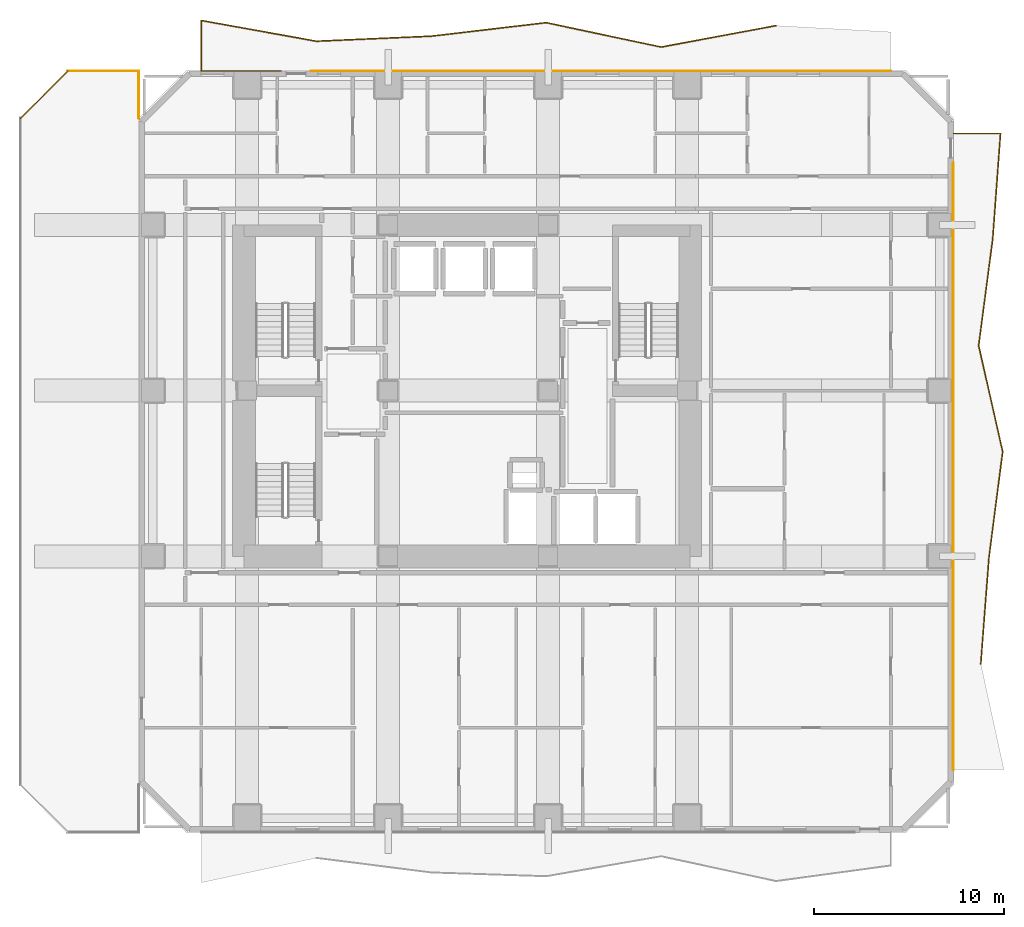
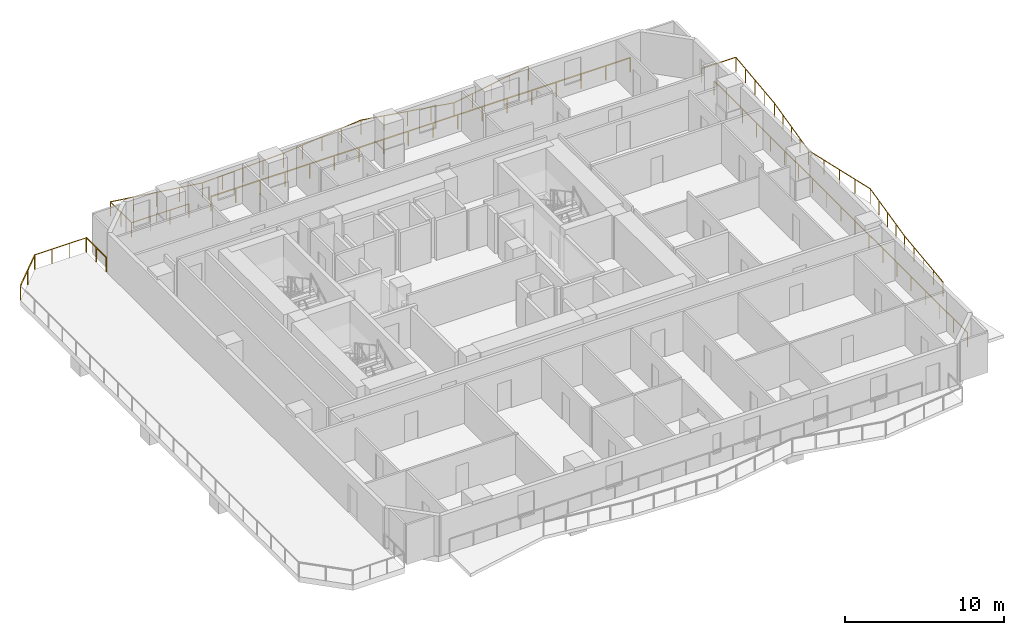
# One storey, part 10 of 10: 7 railings.
"""IFC4 building model written with IfcOpenShell, lengths in metres."""

import ifcopenshell
import ifcopenshell.guid

model = None  # the IFC model being written
_history = None  # IfcOwnerHistory: only IFC2X3 demands one
_inside = {}  # id of a spatial element -> (the spatial element, [elements in it])
_under = {}  # id of a project, library or spatial element -> (it, [spatial elements below it])
_declared = {}  # id of a project -> (the project, [libraries it declares])
_typed = {}  # id of a type object -> (the type object, [elements of that type])
_made_of = {}  # id of a material, layer set ... -> (it, [elements and type objects made of it])


def new_model(schema):
    """Start an empty IFC model of exactly this schema.

    Asked for "IFC4X3", IfcOpenShell would pick the latest addendum, in which some entities
    have other attributes; the version numbers below select the first issue.
    IFC2X3 requires an IfcOwnerHistory on every rooted entity: one is made here for all.
    """
    global model, _history
    if schema == "IFC4X3":
        model = ifcopenshell.file(schema_version=(4, 3, 0, 0))
    else:
        model = ifcopenshell.file(schema=schema)
    _inside.clear()
    _under.clear()
    _declared.clear()
    _typed.clear()
    _made_of.clear()
    _history = None
    if model.schema == "IFC2X3":
        org = make("IfcOrganization", Name="unknown")
        user = make(
            "IfcPersonAndOrganization",
            ThePerson=make("IfcPerson", FamilyName="unknown"),
            TheOrganization=org,
        )
        app = make(
            "IfcApplication",
            ApplicationDeveloper=org,
            Version="unknown",
            ApplicationFullName="unknown",
            ApplicationIdentifier="unknown",
        )
        _history = make(
            "IfcOwnerHistory",
            OwningUser=user,
            OwningApplication=app,
            ChangeAction="ADDED",
            CreationDate=0,
        )
    return model


def make(cls, **values):
    """One entity of the class cls with the attributes given. An attribute that is None is left unset."""
    return model.create_entity(
        cls, **{name: value for name, value in values.items() if value is not None}
    )


def rooted(cls, **values):
    """An entity with a GlobalId (a new one), such as an element, a storey or a relation."""
    return make(cls, GlobalId=ifcopenshell.guid.new(), OwnerHistory=_history, **values)


def si_unit(unit_type, name, prefix=None):
    """IfcSIUnit, for example si_unit("LENGTHUNIT", "METRE", prefix="MILLI")."""
    return make("IfcSIUnit", UnitType=unit_type, Prefix=prefix, Name=name)


def assignment(units):
    """IfcUnitAssignment: the units of a project."""
    return None if units is None else make("IfcUnitAssignment", Units=units)


def point(xyz):
    """IfcCartesianPoint."""
    return None if xyz is None else make("IfcCartesianPoint", Coordinates=xyz)


def direction(xyz):
    """IfcDirection."""
    return None if xyz is None else make("IfcDirection", DirectionRatios=xyz)


def frame(location, z_axis=None, x_axis=None):
    """IfcAxis2Placement3D, a coordinate frame: its origin and axes. An axis left out is left unset."""
    return make(
        "IfcAxis2Placement3D",
        Location=point(location),
        Axis=direction(z_axis),
        RefDirection=direction(x_axis),
    )


def frame_2d(location, x_axis=None):
    """IfcAxis2Placement2D, a coordinate frame in the plane: its origin and x axis."""
    return make(
        "IfcAxis2Placement2D", Location=point(location), RefDirection=direction(x_axis)
    )


def origin():
    """The frame at (0, 0, 0) with its axes left unset."""
    return frame((0.0, 0.0, 0.0))


def origin_2d():
    """The frame at (0, 0) in the plane with its x axis left unset."""
    return frame_2d((0.0, 0.0))


def place(relative_to, where):
    """IfcLocalPlacement: puts the frame where relative to a parent placement (None: the world)."""
    return make(
        "IfcLocalPlacement", PlacementRelTo=relative_to, RelativePlacement=where
    )


def context(
    kind, dimensions, precision=None, world=None, true_north=None, identifier=None
):
    """IfcGeometricRepresentationContext, for example the 3D "Model" context."""
    return make(
        "IfcGeometricRepresentationContext",
        ContextIdentifier=identifier,
        ContextType=kind,
        CoordinateSpaceDimension=dimensions,
        Precision=precision,
        WorldCoordinateSystem=world,
        TrueNorth=true_north,
    )


def subcontext(parent, identifier, kind, view, scale=None):
    """IfcGeometricRepresentationSubContext, for example "Body" below "Model"."""
    return make(
        "IfcGeometricRepresentationSubContext",
        ContextIdentifier=identifier,
        ContextType=kind,
        ParentContext=parent,
        TargetScale=scale,
        TargetView=view,
    )


def project(units=None, contexts=None):
    """IfcProject with its units and contexts."""
    return rooted(
        "IfcProject",
        Name="project",
        RepresentationContexts=contexts,
        UnitsInContext=assignment(units),
    )


def spatial(cls, under=None, at=None, **own):
    """A site, building, storey or space (cls), placed at a placement, below another one or the project."""
    s = rooted(cls, ObjectPlacement=at, **own)
    if under is not None:
        _under.setdefault(under.id(), (under, []))[1].append(s)
    return s


def profile(cls, at=None, kind="AREA", **sizes):
    """A parametric profile (cls). Its sizes go by their IFC names, for example OverallWidth=200.0."""
    return make(cls, ProfileType=kind, Position=at, **sizes)


def rectangle(**sizes):
    """IfcRectangleProfileDef."""
    return profile("IfcRectangleProfileDef", **sizes)


def extrude(swept, where, along, depth):
    """IfcExtrudedAreaSolid: the profile swept, set in the frame where, extruded along a direction by depth."""
    return make(
        "IfcExtrudedAreaSolid",
        SweptArea=swept,
        Position=where,
        ExtrudedDirection=direction(along),
        Depth=depth,
    )


def shape(context_of_items, identifier, shape_type, items):
    """IfcShapeRepresentation: the items that make up one representation, for example the "Body"."""
    return make(
        "IfcShapeRepresentation",
        ContextOfItems=context_of_items,
        RepresentationIdentifier=identifier,
        RepresentationType=shape_type,
        Items=items,
    )


def material(Name=None, Category=None):
    """IfcMaterial."""
    return make("IfcMaterial", Name=Name, Category=Category)


def made_of(thing, what):
    """Note that an element or type object is made of a material, layer set ...; save() writes the relation."""
    if what is not None:
        _made_of.setdefault(what.id(), (what, []))[1].append(thing)
    return thing


def type_object(cls, material=None, **own):
    """A type object (cls), such as IfcWallType, which elements share."""
    return made_of(rooted(cls, **own), material)


def element(
    cls,
    number,
    at=None,
    inside=None,
    cuts=None,
    type_object=None,
    material=None,
    context=None,
    identifier="Body",
    shape_type=None,
    held_by="IfcProductDefinitionShape",
    body=None,
    shapes=None,
    **own,
):
    """One element of the class cls, such as IfcWall. Its Tag is "e" and its number.

    at: its placement. inside: the storey or other place that contains it. cuts: it is an
    opening in that element (IfcRelVoidsElement). A single representation is given by context,
    identifier, shape_type and body (its items); several are given by shapes. held_by: the class
    of the entity that holds the representations. save() writes the other relations.
    """
    e = rooted(cls, Tag="e%d" % number, ObjectPlacement=at, **own)
    if body is not None:
        shapes = [shape(context, identifier, shape_type, body)]
    if shapes is not None:
        e.Representation = make(held_by, Representations=shapes)
    if inside is not None:
        _inside.setdefault(inside.id(), (inside, []))[1].append(e)
    if cuts is not None:
        rooted(
            "IfcRelVoidsElement", RelatingBuildingElement=cuts, RelatedOpeningElement=e
        )
    if type_object is not None:
        _typed.setdefault(type_object.id(), (type_object, []))[1].append(e)
    return made_of(e, material)


def aggregate(whole, parts):
    """IfcRelAggregates: a whole, such as a stair, and the parts it consists of."""
    return rooted("IfcRelAggregates", RelatingObject=whole, RelatedObjects=parts)


def save(model, path):
    """Write the relations noted so far, then the file.

    IfcRelAggregates (storeys below a building ...), IfcRelContainedInSpatialStructure (elements
    in a storey), IfcRelDefinesByType, IfcRelAssociatesMaterial and IfcRelDeclares: one each for
    every whole, place, type object, material and project.
    """
    for whole, parts in _under.values():
        aggregate(whole, parts)
    for where, things in _inside.values():
        rooted(
            "IfcRelContainedInSpatialStructure",
            RelatedElements=things,
            RelatingStructure=where,
        )
    for kind, things in _typed.values():
        rooted("IfcRelDefinesByType", RelatedObjects=things, RelatingType=kind)
    for what, things in _made_of.values():
        rooted("IfcRelAssociatesMaterial", RelatedObjects=things, RelatingMaterial=what)
    for by, libraries in _declared.values():
        rooted("IfcRelDeclares", RelatingContext=by, RelatedDefinitions=libraries)
    model.write(path)


model = new_model("IFC4")

# Units and contexts
model_context = context("Model", 3, precision=1e-05, world=origin(), true_north=direction((0.0, 1.0)))
body_context = subcontext(model_context, "Body", "Model", "MODEL_VIEW")
ifc_project = project(units=[si_unit("LENGTHUNIT", "METRE"), si_unit("AREAUNIT", "SQUARE_METRE"), si_unit("VOLUMEUNIT", "CUBIC_METRE"), si_unit("PLANEANGLEUNIT", "RADIAN"), si_unit("MASSUNIT", "GRAM", prefix="KILO")], contexts=[model_context])

# Site, building, storey
site_placement = place(None, origin())
site = spatial("IfcSite", under=ifc_project, at=site_placement, CompositionType="ELEMENT")
building_placement = place(site_placement, origin())
building = spatial("IfcBuilding", under=site, at=building_placement, Name="Solanera Arch Residences", CompositionType="ELEMENT")
storey_placement = place(building_placement, frame((0.0, 0.0, 41.919921875)))
storey = spatial("IfcBuildingStorey", under=building, at=storey_placement, Name="L11", CompositionType="ELEMENT", Elevation=41.919921875)

# Railings
ifc_material = material(Name="Steel S355 (ASTM A992 / A572 Grade 50)", Category="steel")
railing_type = type_object("IfcRailingType", Name="Balustrade Railing BL-1100", PredefinedType="BALUSTRADE", material=ifc_material)
railing_1_placement = place(storey_placement, frame((41.1669921875, 49.864990234375, 0.0)))
element("IfcRailing", 1, at=railing_1_placement, inside=storey, type_object=railing_type, Name="L11 N Balcony Balustrade 1", PredefinedType="BALUSTRADE", context=body_context, shape_type="SweptSolid", body=[
    extrude(rectangle(XDim=0.048095703125, YDim=0.048095703125, at=origin_2d()), frame((0.0, 0.0, 1.09619140625), z_axis=(-0.983030769908, -0.183440740879, 0.0), x_axis=(0.183440740879, -0.983030769908, 0.0)), (0.0, 0.0, 1.0), 6.13818359375),
    extrude(rectangle(XDim=0.048095703125, YDim=0.048095703125, at=origin_2d()), frame((-6.033935546875, -1.1259765625, 1.09619140625), z_axis=(-0.97819173664, 0.207703939223, 0.0), x_axis=(-0.207703939223, -0.97819173664, 0.0)), (0.0, 0.0, 1.0), 6.16748046875),
    extrude(rectangle(XDim=0.048095703125, YDim=0.048095703125, at=origin_2d()), frame((-12.06689453125, 0.155029296875, 1.09619140625), z_axis=(-0.993165958324, -0.116710664575, 0.0), x_axis=(0.116710664575, -0.993165958324, 0.0)), (0.0, 0.0, 1.0), 6.07470703125),
    extrude(rectangle(XDim=0.048095703125, YDim=0.048095703125, at=origin_2d()), frame((-18.10009765625, -0.553955078125, 1.09619140625), z_axis=(-0.999035993244, -0.043898567213, 0.0), x_axis=(0.043898567213, -0.999035993244, 0.0)), (0.0, 0.0, 1.0), 6.039794921875),
    extrude(rectangle(XDim=0.048095703125, YDim=0.048095703125, at=origin_2d()), frame((-24.134033203125, -0.819091796875, 1.09619140625), z_axis=(-0.984120631507, 0.177500937017, 0.0), x_axis=(-0.177500937017, -0.984120631507, 0.0)), (0.0, 0.0, 1.0), 6.13037109375),
    extrude(rectangle(XDim=0.048095703125, YDim=0.048095703125, at=origin_2d()), frame((-30.1669921875, 0.26904296875, 1.09619140625), z_axis=(0.0, -1.0, 0.0), x_axis=(1.0, 0.0, 0.0)), (0.0, 0.0, 1.0), 2.654052734375),
    extrude(rectangle(XDim=0.048095703125, YDim=0.048095703125, at=origin_2d()), frame((-30.1669921875, -2.385009765625, 1.09619140625), z_axis=(1.0, 0.0, 0.0), x_axis=(0.0, 1.0, 0.0)), (0.0, 0.0, 1.0), 4.16796875),
    extrude(rectangle(XDim=0.0419921875, YDim=0.0419921875, at=origin_2d()), origin(), (0.0, 0.0, 1.0), 1.072021484375),
    extrude(rectangle(XDim=0.0419921875, YDim=0.0419921875, at=origin_2d()), frame((-1.508544921875, -0.281494140625, 0.0)), (0.0, 0.0, 1.0), 1.072021484375),
    extrude(rectangle(XDim=0.0419921875, YDim=0.0419921875, at=origin_2d()), frame((-3.01708984375, -0.56298828125, 0.0)), (0.0, 0.0, 1.0), 1.072021484375),
    extrude(rectangle(XDim=0.0419921875, YDim=0.0419921875, at=origin_2d()), frame((-4.525390625, -0.844482421875, 0.0)), (0.0, 0.0, 1.0), 1.072021484375),
    extrude(rectangle(XDim=0.0419921875, YDim=0.0419921875, at=origin_2d()), frame((-6.033935546875, -1.1259765625, 0.0)), (0.0, 0.0, 1.0), 1.072021484375),
    extrude(rectangle(XDim=0.0419921875, YDim=0.0419921875, at=origin_2d()), frame((-7.542236328125, -0.8056640625, 0.0)), (0.0, 0.0, 1.0), 1.072021484375),
    extrude(rectangle(XDim=0.0419921875, YDim=0.0419921875, at=origin_2d()), frame((-9.05029296875, -0.4853515625, 0.0)), (0.0, 0.0, 1.0), 1.072021484375),
    extrude(rectangle(XDim=0.0419921875, YDim=0.0419921875, at=origin_2d()), frame((-10.55859375, -0.165283203125, 0.0)), (0.0, 0.0, 1.0), 1.072021484375),
    extrude(rectangle(XDim=0.0419921875, YDim=0.0419921875, at=origin_2d()), frame((-12.06689453125, 0.155029296875, 0.0)), (0.0, 0.0, 1.0), 1.072021484375),
    extrude(rectangle(XDim=0.0419921875, YDim=0.0419921875, at=origin_2d()), frame((-13.5751953125, -0.022216796875, 0.0)), (0.0, 0.0, 1.0), 1.072021484375),
    extrude(rectangle(XDim=0.0419921875, YDim=0.0419921875, at=origin_2d()), frame((-15.08349609375, -0.199462890625, 0.0)), (0.0, 0.0, 1.0), 1.072021484375),
    extrude(rectangle(XDim=0.0419921875, YDim=0.0419921875, at=origin_2d()), frame((-16.591796875, -0.376708984375, 0.0)), (0.0, 0.0, 1.0), 1.072021484375),
    extrude(rectangle(XDim=0.0419921875, YDim=0.0419921875, at=origin_2d()), frame((-18.10009765625, -0.553955078125, 0.0)), (0.0, 0.0, 1.0), 1.072021484375),
    extrude(rectangle(XDim=0.0419921875, YDim=0.0419921875, at=origin_2d()), frame((-19.608642578125, -0.6201171875, 0.0)), (0.0, 0.0, 1.0), 1.072021484375),
    extrude(rectangle(XDim=0.0419921875, YDim=0.0419921875, at=origin_2d()), frame((-21.1171875, -0.6865234375, 0.0)), (0.0, 0.0, 1.0), 1.072021484375),
    extrude(rectangle(XDim=0.0419921875, YDim=0.0419921875, at=origin_2d()), frame((-22.62548828125, -0.7529296875, 0.0)), (0.0, 0.0, 1.0), 1.072021484375),
    extrude(rectangle(XDim=0.0419921875, YDim=0.0419921875, at=origin_2d()), frame((-24.134033203125, -0.819091796875, 0.0)), (0.0, 0.0, 1.0), 1.072021484375),
    extrude(rectangle(XDim=0.0419921875, YDim=0.0419921875, at=origin_2d()), frame((-25.642333984375, -0.547119140625, 0.0)), (0.0, 0.0, 1.0), 1.072021484375),
    extrude(rectangle(XDim=0.0419921875, YDim=0.0419921875, at=origin_2d()), frame((-27.150390625, -0.27490234375, 0.0)), (0.0, 0.0, 1.0), 1.072021484375),
    extrude(rectangle(XDim=0.0419921875, YDim=0.0419921875, at=origin_2d()), frame((-28.65869140625, -0.0029296875, 0.0)), (0.0, 0.0, 1.0), 1.072021484375),
    extrude(rectangle(XDim=0.0419921875, YDim=0.0419921875, at=origin_2d()), frame((-30.1669921875, 0.26904296875, 0.0)), (0.0, 0.0, 1.0), 1.072021484375),
    extrude(rectangle(XDim=0.0419921875, YDim=0.0419921875, at=origin_2d()), frame((-30.1669921875, -1.05810546875, 0.0)), (0.0, 0.0, 1.0), 1.072021484375),
    extrude(rectangle(XDim=0.0419921875, YDim=0.0419921875, at=origin_2d()), frame((-30.1669921875, -2.385009765625, 0.0)), (0.0, 0.0, 1.0), 1.072021484375),
    extrude(rectangle(XDim=0.0419921875, YDim=0.0419921875, at=origin_2d()), frame((-28.777587890625, -2.385009765625, 0.0)), (0.0, 0.0, 1.0), 1.072021484375),
    extrude(rectangle(XDim=0.0419921875, YDim=0.0419921875, at=origin_2d()), frame((-27.388427734375, -2.385009765625, 0.0)), (0.0, 0.0, 1.0), 1.072021484375),
    extrude(rectangle(XDim=0.0419921875, YDim=0.0419921875, at=origin_2d()), frame((-25.9990234375, -2.385009765625, 0.0)), (0.0, 0.0, 1.0), 1.072021484375),
])
railing_2_placement = place(storey_placement, frame((16.76806640625, 47.47998046875, 0.0)))
element("IfcRailing", 2, at=railing_2_placement, inside=storey, type_object=railing_type, Name="L11 N Balcony Balustrade 2", PredefinedType="BALUSTRADE", context=body_context, shape_type="SweptSolid", body=[
    extrude(rectangle(XDim=0.048095703125, YDim=0.048095703125, at=origin_2d()), frame((0.0, 0.0, 1.09619140625), z_axis=(1.0, 0.0, 0.0), x_axis=(0.0, 1.0, 0.0)), (0.0, 0.0, 1.0), 30.431884765625),
    extrude(rectangle(XDim=0.0419921875, YDim=0.0419921875, at=origin_2d()), origin(), (0.0, 0.0, 1.0), 1.072021484375),
    extrude(rectangle(XDim=0.0419921875, YDim=0.0419921875, at=origin_2d()), frame((1.7900390625, 0.0, 0.0)), (0.0, 0.0, 1.0), 1.072021484375),
    extrude(rectangle(XDim=0.0419921875, YDim=0.0419921875, at=origin_2d()), frame((3.580322265625, 0.0, 0.0)), (0.0, 0.0, 1.0), 1.072021484375),
    extrude(rectangle(XDim=0.0419921875, YDim=0.0419921875, at=origin_2d()), frame((5.370361328125, 0.0, 0.0)), (0.0, 0.0, 1.0), 1.072021484375),
    extrude(rectangle(XDim=0.0419921875, YDim=0.0419921875, at=origin_2d()), frame((7.160400390625, 0.0, 0.0)), (0.0, 0.0, 1.0), 1.072021484375),
    extrude(rectangle(XDim=0.0419921875, YDim=0.0419921875, at=origin_2d()), frame((8.950439453125, 0.0, 0.0)), (0.0, 0.0, 1.0), 1.072021484375),
    extrude(rectangle(XDim=0.0419921875, YDim=0.0419921875, at=origin_2d()), frame((10.74072265625, 0.0, 0.0)), (0.0, 0.0, 1.0), 1.072021484375),
    extrude(rectangle(XDim=0.0419921875, YDim=0.0419921875, at=origin_2d()), frame((12.53076171875, 0.0, 0.0)), (0.0, 0.0, 1.0), 1.072021484375),
    extrude(rectangle(XDim=0.0419921875, YDim=0.0419921875, at=origin_2d()), frame((14.32080078125, 0.0, 0.0)), (0.0, 0.0, 1.0), 1.072021484375),
    extrude(rectangle(XDim=0.0419921875, YDim=0.0419921875, at=origin_2d()), frame((16.111083984375, 0.0, 0.0)), (0.0, 0.0, 1.0), 1.072021484375),
    extrude(rectangle(XDim=0.0419921875, YDim=0.0419921875, at=origin_2d()), frame((17.901123046875, 0.0, 0.0)), (0.0, 0.0, 1.0), 1.072021484375),
    extrude(rectangle(XDim=0.0419921875, YDim=0.0419921875, at=origin_2d()), frame((19.691162109375, 0.0, 0.0)), (0.0, 0.0, 1.0), 1.072021484375),
    extrude(rectangle(XDim=0.0419921875, YDim=0.0419921875, at=origin_2d()), frame((21.4814453125, 0.0, 0.0)), (0.0, 0.0, 1.0), 1.072021484375),
    extrude(rectangle(XDim=0.0419921875, YDim=0.0419921875, at=origin_2d()), frame((23.271484375, 0.0, 0.0)), (0.0, 0.0, 1.0), 1.072021484375),
    extrude(rectangle(XDim=0.0419921875, YDim=0.0419921875, at=origin_2d()), frame((25.0615234375, 0.0, 0.0)), (0.0, 0.0, 1.0), 1.072021484375),
    extrude(rectangle(XDim=0.0419921875, YDim=0.0419921875, at=origin_2d()), frame((26.8515625, 0.0, 0.0)), (0.0, 0.0, 1.0), 1.072021484375),
    extrude(rectangle(XDim=0.0419921875, YDim=0.0419921875, at=origin_2d()), frame((28.641845703125, 0.0, 0.0)), (0.0, 0.0, 1.0), 1.072021484375),
    extrude(rectangle(XDim=0.0419921875, YDim=0.0419921875, at=origin_2d()), frame((30.431884765625, 0.0, 0.0)), (0.0, 0.0, 1.0), 1.072021484375),
])
railing_3_placement = place(storey_placement, frame((51.9189453125, 16.366943359375, 0.0)))
element("IfcRailing", 3, at=railing_3_placement, inside=storey, type_object=railing_type, Name="L11 E Balcony Balustrade 1", PredefinedType="BALUSTRADE", context=body_context, shape_type="SweptSolid", body=[
    extrude(rectangle(XDim=0.048095703125, YDim=0.048095703125, at=origin_2d()), frame((0.0, 0.0, 1.09619140625), z_axis=(0.076663056349, 0.99705705744, 0.0), x_axis=(-0.99705705744, 0.076663056349, 0.0)), (0.0, 0.0, 1.0), 5.58251953125),
    extrude(rectangle(XDim=0.048095703125, YDim=0.048095703125, at=origin_2d()), frame((0.427978515625, 5.566162109375, 1.09619140625), z_axis=(0.128476402104, 0.991712566272, 0.0), x_axis=(-0.991712566272, 0.128476402104, 0.0)), (0.0, 0.0, 1.0), 5.613525390625),
    extrude(rectangle(XDim=0.048095703125, YDim=0.048095703125, at=origin_2d()), frame((1.149169921875, 11.133056640625, 1.09619140625), z_axis=(-0.22095922375, 0.975283046833, 0.0), x_axis=(-0.975283046833, -0.22095922375, 0.0)), (0.0, 0.0, 1.0), 5.7080078125),
    extrude(rectangle(XDim=0.048095703125, YDim=0.048095703125, at=origin_2d()), frame((-0.112060546875, 16.699951171875, 1.09619140625), z_axis=(0.130930305389, 0.991391575076, 0.0), x_axis=(-0.991391575076, 0.130930305389, 0.0)), (0.0, 0.0, 1.0), 5.614501953125),
    extrude(rectangle(XDim=0.048095703125, YDim=0.048095703125, at=origin_2d()), frame((0.623046875, 22.26611328125, 1.09619140625), z_axis=(0.074000564579, 0.997258199486, 0.0), x_axis=(-0.997258199486, 0.074000564579, 0.0)), (0.0, 0.0, 1.0), 5.582275390625),
    extrude(rectangle(XDim=0.048095703125, YDim=0.048095703125, at=origin_2d()), frame((1.0361328125, 27.8330078125, 1.09619140625), z_axis=(-1.0, 0.0, 0.0), x_axis=(0.0, -1.0, 0.0)), (0.0, 0.0, 1.0), 2.47509765625),
    extrude(rectangle(XDim=0.0419921875, YDim=0.0419921875, at=origin_2d()), origin(), (0.0, 0.0, 1.0), 1.072021484375),
    extrude(rectangle(XDim=0.0419921875, YDim=0.0419921875, at=origin_2d()), frame((0.10693359375, 1.3916015625, 0.0)), (0.0, 0.0, 1.0), 1.072021484375),
    extrude(rectangle(XDim=0.0419921875, YDim=0.0419921875, at=origin_2d()), frame((0.2138671875, 2.783203125, 0.0)), (0.0, 0.0, 1.0), 1.072021484375),
    extrude(rectangle(XDim=0.0419921875, YDim=0.0419921875, at=origin_2d()), frame((0.321044921875, 4.174560546875, 0.0)), (0.0, 0.0, 1.0), 1.072021484375),
    extrude(rectangle(XDim=0.0419921875, YDim=0.0419921875, at=origin_2d()), frame((0.427978515625, 5.566162109375, 0.0)), (0.0, 0.0, 1.0), 1.072021484375),
    extrude(rectangle(XDim=0.0419921875, YDim=0.0419921875, at=origin_2d()), frame((0.6083984375, 6.9580078125, 0.0)), (0.0, 0.0, 1.0), 1.072021484375),
    extrude(rectangle(XDim=0.0419921875, YDim=0.0419921875, at=origin_2d()), frame((0.78857421875, 8.349609375, 0.0)), (0.0, 0.0, 1.0), 1.072021484375),
    extrude(rectangle(XDim=0.0419921875, YDim=0.0419921875, at=origin_2d()), frame((0.96875, 9.7412109375, 0.0)), (0.0, 0.0, 1.0), 1.072021484375),
    extrude(rectangle(XDim=0.0419921875, YDim=0.0419921875, at=origin_2d()), frame((1.149169921875, 11.133056640625, 0.0)), (0.0, 0.0, 1.0), 1.072021484375),
    extrude(rectangle(XDim=0.0419921875, YDim=0.0419921875, at=origin_2d()), frame((0.833984375, 12.52490234375, 0.0)), (0.0, 0.0, 1.0), 1.072021484375),
    extrude(rectangle(XDim=0.0419921875, YDim=0.0419921875, at=origin_2d()), frame((0.5185546875, 13.91650390625, 0.0)), (0.0, 0.0, 1.0), 1.072021484375),
    extrude(rectangle(XDim=0.0419921875, YDim=0.0419921875, at=origin_2d()), frame((0.203125, 15.30810546875, 0.0)), (0.0, 0.0, 1.0), 1.072021484375),
    extrude(rectangle(XDim=0.0419921875, YDim=0.0419921875, at=origin_2d()), frame((-0.112060546875, 16.699951171875, 0.0)), (0.0, 0.0, 1.0), 1.072021484375),
    extrude(rectangle(XDim=0.0419921875, YDim=0.0419921875, at=origin_2d()), frame((0.07177734375, 18.091552734375, 0.0)), (0.0, 0.0, 1.0), 1.072021484375),
    extrude(rectangle(XDim=0.0419921875, YDim=0.0419921875, at=origin_2d()), frame((0.25537109375, 19.48291015625, 0.0)), (0.0, 0.0, 1.0), 1.072021484375),
    extrude(rectangle(XDim=0.0419921875, YDim=0.0419921875, at=origin_2d()), frame((0.439208984375, 20.87451171875, 0.0)), (0.0, 0.0, 1.0), 1.072021484375),
    extrude(rectangle(XDim=0.0419921875, YDim=0.0419921875, at=origin_2d()), frame((0.623046875, 22.26611328125, 0.0)), (0.0, 0.0, 1.0), 1.072021484375),
    extrude(rectangle(XDim=0.0419921875, YDim=0.0419921875, at=origin_2d()), frame((0.726318359375, 23.65771484375, 0.0)), (0.0, 0.0, 1.0), 1.072021484375),
    extrude(rectangle(XDim=0.0419921875, YDim=0.0419921875, at=origin_2d()), frame((0.82958984375, 25.049560546875, 0.0)), (0.0, 0.0, 1.0), 1.072021484375),
    extrude(rectangle(XDim=0.0419921875, YDim=0.0419921875, at=origin_2d()), frame((0.932861328125, 26.44140625, 0.0)), (0.0, 0.0, 1.0), 1.072021484375),
    extrude(rectangle(XDim=0.0419921875, YDim=0.0419921875, at=origin_2d()), frame((1.0361328125, 27.8330078125, 0.0)), (0.0, 0.0, 1.0), 1.072021484375),
    extrude(rectangle(XDim=0.0419921875, YDim=0.0419921875, at=origin_2d()), frame((-0.201416015625, 27.8330078125, 0.0)), (0.0, 0.0, 1.0), 1.072021484375),
    extrude(rectangle(XDim=0.0419921875, YDim=0.0419921875, at=origin_2d()), frame((-1.43896484375, 27.8330078125, 0.0)), (0.0, 0.0, 1.0), 1.072021484375),
])
railing_4_placement = place(storey_placement, frame((50.47998046875, 42.634033203125, 0.0)))
element("IfcRailing", 4, at=railing_4_placement, inside=storey, type_object=railing_type, Name="L11 E Balcony Balustrade 2", PredefinedType="BALUSTRADE", context=body_context, shape_type="SweptSolid", body=[
    extrude(rectangle(XDim=0.048095703125, YDim=0.048095703125, at=origin_2d()), frame((0.0, 0.0, 1.09619140625), z_axis=(0.0, -1.0, 0.0), x_axis=(1.0, 0.0, 0.0)), (0.0, 0.0, 1.0), 31.833984375),
    extrude(rectangle(XDim=0.0419921875, YDim=0.0419921875, at=origin_2d()), origin(), (0.0, 0.0, 1.0), 1.072021484375),
    extrude(rectangle(XDim=0.0419921875, YDim=0.0419921875, at=origin_2d()), frame((0.0, -1.7685546875, 0.0)), (0.0, 0.0, 1.0), 1.072021484375),
    extrude(rectangle(XDim=0.0419921875, YDim=0.0419921875, at=origin_2d()), frame((0.0, -3.537109375, 0.0)), (0.0, 0.0, 1.0), 1.072021484375),
    extrude(rectangle(XDim=0.0419921875, YDim=0.0419921875, at=origin_2d()), frame((0.0, -5.3056640625, 0.0)), (0.0, 0.0, 1.0), 1.072021484375),
    extrude(rectangle(XDim=0.0419921875, YDim=0.0419921875, at=origin_2d()), frame((0.0, -7.07421875, 0.0)), (0.0, 0.0, 1.0), 1.072021484375),
    extrude(rectangle(XDim=0.0419921875, YDim=0.0419921875, at=origin_2d()), frame((0.0, -8.8427734375, 0.0)), (0.0, 0.0, 1.0), 1.072021484375),
    extrude(rectangle(XDim=0.0419921875, YDim=0.0419921875, at=origin_2d()), frame((0.0, -10.611328125, 0.0)), (0.0, 0.0, 1.0), 1.072021484375),
    extrude(rectangle(XDim=0.0419921875, YDim=0.0419921875, at=origin_2d()), frame((0.0, -12.3798828125, 0.0)), (0.0, 0.0, 1.0), 1.072021484375),
    extrude(rectangle(XDim=0.0419921875, YDim=0.0419921875, at=origin_2d()), frame((0.0, -14.1484375, 0.0)), (0.0, 0.0, 1.0), 1.072021484375),
    extrude(rectangle(XDim=0.0419921875, YDim=0.0419921875, at=origin_2d()), frame((0.0, -15.9169921875, 0.0)), (0.0, 0.0, 1.0), 1.072021484375),
    extrude(rectangle(XDim=0.0419921875, YDim=0.0419921875, at=origin_2d()), frame((0.0, -17.685546875, 0.0)), (0.0, 0.0, 1.0), 1.072021484375),
    extrude(rectangle(XDim=0.0419921875, YDim=0.0419921875, at=origin_2d()), frame((0.0, -19.4541015625, 0.0)), (0.0, 0.0, 1.0), 1.072021484375),
    extrude(rectangle(XDim=0.0419921875, YDim=0.0419921875, at=origin_2d()), frame((0.0, -21.22265625, 0.0)), (0.0, 0.0, 1.0), 1.072021484375),
    extrude(rectangle(XDim=0.0419921875, YDim=0.0419921875, at=origin_2d()), frame((0.0, -22.9912109375, 0.0)), (0.0, 0.0, 1.0), 1.072021484375),
    extrude(rectangle(XDim=0.0419921875, YDim=0.0419921875, at=origin_2d()), frame((0.0, -24.759765625, 0.0)), (0.0, 0.0, 1.0), 1.072021484375),
    extrude(rectangle(XDim=0.0419921875, YDim=0.0419921875, at=origin_2d()), frame((0.0, -26.5283203125, 0.0)), (0.0, 0.0, 1.0), 1.072021484375),
    extrude(rectangle(XDim=0.0419921875, YDim=0.0419921875, at=origin_2d()), frame((0.0, -28.296875, 0.0)), (0.0, 0.0, 1.0), 1.072021484375),
    extrude(rectangle(XDim=0.0419921875, YDim=0.0419921875, at=origin_2d()), frame((0.0, -30.0654296875, 0.0)), (0.0, 0.0, 1.0), 1.072021484375),
    extrude(rectangle(XDim=0.0419921875, YDim=0.0419921875, at=origin_2d()), frame((0.0, -31.833984375, 0.0)), (0.0, 0.0, 1.0), 1.072021484375),
])
railing_5_placement = place(storey_placement, frame((7.719970703125, 44.991943359375, 0.0)))
element("IfcRailing", 5, at=railing_5_placement, inside=storey, type_object=railing_type, Name="L11 Sky Terrace Guardrail 1", PredefinedType="BALUSTRADE", context=body_context, shape_type="SweptSolid", body=[
    extrude(rectangle(XDim=0.048095703125, YDim=0.048095703125, at=origin_2d()), frame((0.0, 0.0, 1.09619140625), z_axis=(0.0, 1.0, 0.0), x_axis=(-1.0, 0.0, 0.0)), (0.0, 0.0, 1.0), 2.488037109375),
    extrude(rectangle(XDim=0.0419921875, YDim=0.0419921875, at=origin_2d()), origin(), (0.0, 0.0, 1.0), 1.072021484375),
    extrude(rectangle(XDim=0.0419921875, YDim=0.0419921875, at=origin_2d()), frame((0.0, 1.244140625, 0.0)), (0.0, 0.0, 1.0), 1.072021484375),
    extrude(rectangle(XDim=0.0419921875, YDim=0.0419921875, at=origin_2d()), frame((0.0, 2.488037109375, 0.0)), (0.0, 0.0, 1.0), 1.072021484375),
])
railing_6_placement = place(storey_placement, frame((7.719970703125, 47.47998046875, 0.0)))
element("IfcRailing", 6, at=railing_6_placement, inside=storey, type_object=railing_type, Name="L11 Sky Terrace Guardrail 1", PredefinedType="BALUSTRADE", context=body_context, shape_type="SweptSolid", body=[
    extrude(rectangle(XDim=0.048095703125, YDim=0.048095703125, at=origin_2d()), frame((0.0, 0.0, 1.09619140625), z_axis=(-1.0, 0.0, 0.0), x_axis=(0.0, -1.0, 0.0)), (0.0, 0.0, 1.0), 3.739990234375),
    extrude(rectangle(XDim=0.0419921875, YDim=0.0419921875, at=origin_2d()), origin(), (0.0, 0.0, 1.0), 1.072021484375),
    extrude(rectangle(XDim=0.0419921875, YDim=0.0419921875, at=origin_2d()), frame((-1.24658203125, 0.0, 0.0)), (0.0, 0.0, 1.0), 1.072021484375),
    extrude(rectangle(XDim=0.0419921875, YDim=0.0419921875, at=origin_2d()), frame((-2.493408203125, 0.0, 0.0)), (0.0, 0.0, 1.0), 1.072021484375),
    extrude(rectangle(XDim=0.0419921875, YDim=0.0419921875, at=origin_2d()), frame((-3.739990234375, 0.0, 0.0)), (0.0, 0.0, 1.0), 1.072021484375),
])
railing_7_placement = place(storey_placement, frame((3.97998046875, 47.47998046875, 0.0)))
element("IfcRailing", 7, at=railing_7_placement, inside=storey, type_object=railing_type, Name="L11 Sky Terrace Guardrail 1", PredefinedType="BALUSTRADE", context=body_context, shape_type="SweptSolid", body=[
    extrude(rectangle(XDim=0.048095703125, YDim=0.048095703125, at=origin_2d()), frame((0.0, 0.0, 1.09619140625), z_axis=(-0.707106781187, -0.707106781187, 0.0), x_axis=(0.707106781187, -0.707106781187, 0.0)), (0.0, 0.0, 1.0), 3.50732421875),
    extrude(rectangle(XDim=0.0419921875, YDim=0.0419921875, at=origin_2d()), origin(), (0.0, 0.0, 1.0), 1.072021484375),
    extrude(rectangle(XDim=0.0419921875, YDim=0.0419921875, at=origin_2d()), frame((-1.239990234375, -1.239990234375, 0.0)), (0.0, 0.0, 1.0), 1.072021484375),
    extrude(rectangle(XDim=0.0419921875, YDim=0.0419921875, at=origin_2d()), frame((-2.47998046875, -2.47998046875, 0.0)), (0.0, 0.0, 1.0), 1.072021484375),
])

save(model, "model.ifc")
